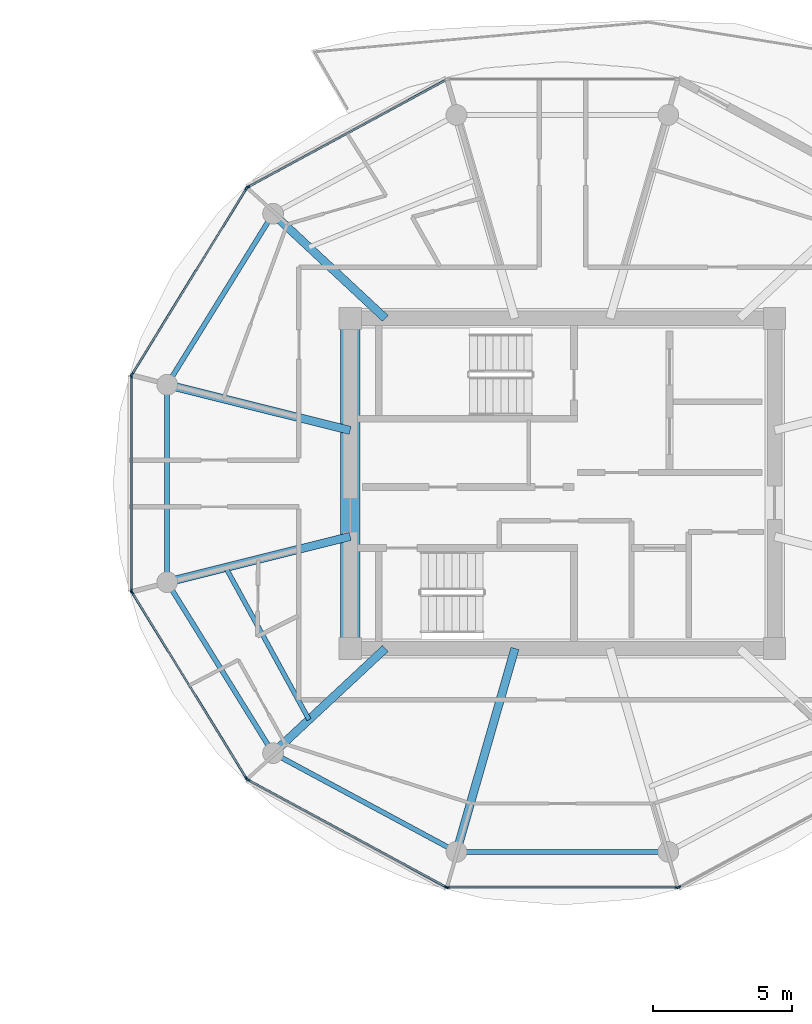
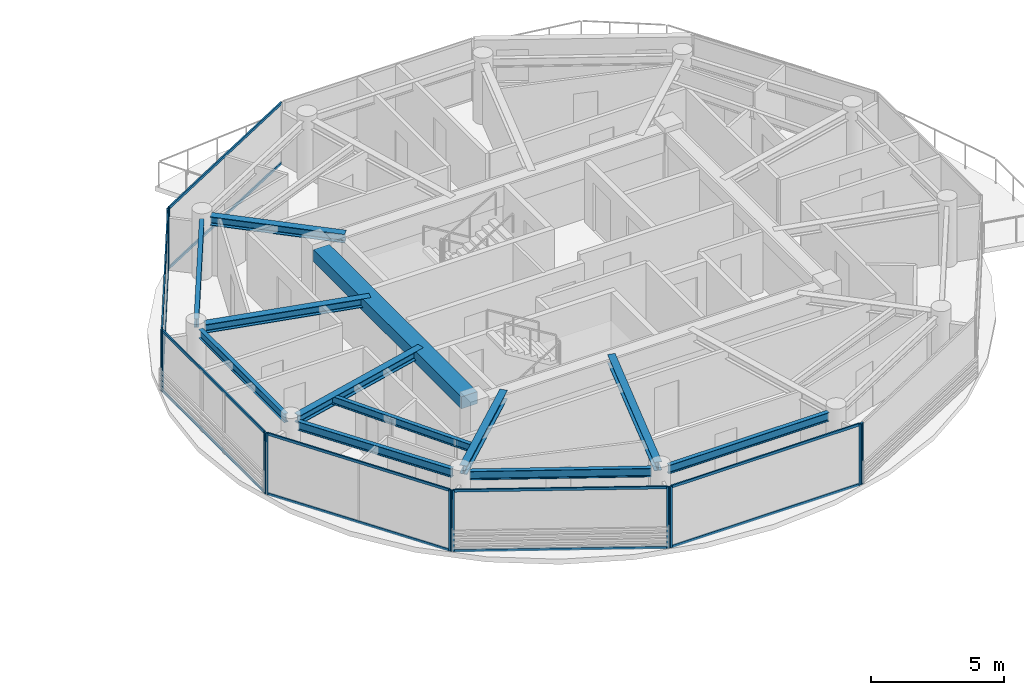
# One storey, part 5 of 19: 24 members, 12 beams, 7 elements without a shape of their own.
"""IFC4 building model written with IfcOpenShell, lengths in metres."""

from ifc_helpers import new_model, si_unit, direction, frame, origin, origin_2d, place, context, subcontext, project, spatial, rectangle, i_section, extrude, source, transform, mapped, material, layer, layer_set, material_profile, profile_set, type_object, type_shapes, element, aggregate, save


model = new_model("IFC4")

# Units and contexts
model_context = context("Model", 3, precision=1e-05, world=origin(), true_north=direction((0.0, 1.0)))
body_context = subcontext(model_context, "Body", "Model", "MODEL_VIEW")
ifc_project = project(units=[si_unit("LENGTHUNIT", "METRE"), si_unit("AREAUNIT", "SQUARE_METRE"), si_unit("VOLUMEUNIT", "CUBIC_METRE"), si_unit("PLANEANGLEUNIT", "RADIAN"), si_unit("MASSUNIT", "GRAM", prefix="KILO")], contexts=[model_context])

# Site, building, storey
site_placement = place(None, origin())
site = spatial("IfcSite", under=ifc_project, at=site_placement, CompositionType="ELEMENT")
building_placement = place(site_placement, origin())
building = spatial("IfcBuilding", under=site, at=building_placement, Name="Norrkilde Senior Care Towers", CompositionType="ELEMENT")
storey_placement = place(building_placement, frame((0.0, 0.0, 235.25)))
storey = spatial("IfcBuildingStorey", under=building, at=storey_placement, Name="L73", CompositionType="ELEMENT", Elevation=235.25)

# Beams
ifc_material_1 = material(Name="Concrete C60/75", Category="concrete")
ifc_material_profile_1 = material_profile(ifc_material_1, rectangle(XDim=0.699951171875, YDim=0.550048828125, at=origin_2d()), Name="RC BM 700x550")
ifc_profile_set_1 = profile_set([ifc_material_profile_1], Name="Concrete C60/75")
beam_type_1 = type_object("IfcBeamType", Name="Core Portal Coupling Beam 700x550", PredefinedType="USERDEFINED", material=ifc_profile_set_1)
shared_shape_1 = source(origin(), body_context, "Body", "SweptSolid", [
    extrude(rectangle(XDim=0.699951171875, YDim=0.550048828125, at=origin_2d()), origin(), (0.0, 0.0, 1.0), 11.14013671875),
])
type_shapes(beam_type_1, [shared_shape_1])
beam_1_placement = place(storey_placement, frame((20.35009765625, -5.570068359375, 2.534912109375), z_axis=(0.0, 1.0, 0.0), x_axis=(-1.0, 0.0, 0.0)))
element("IfcBeam", 1, at=beam_1_placement, inside=storey, type_object=beam_type_1, Name="L73 Core E W Coupling Girder", ObjectType="GIRDER", PredefinedType="USERDEFINED", context=body_context, shape_type="MappedRepresentation", body=[
    mapped(shared_shape_1, transform((0.0, 0.0, 0.0), x_axis=(1.0, 0.0, 0.0), y_axis=(0.0, 1.0, 0.0), z_axis=(0.0, 0.0, 1.0), scale=1.0)),
])
ifc_material_2 = material(Name="Steel S355", Category="steel")
ifc_material_profile_2 = material_profile(ifc_material_2, i_section(OverallWidth=0.179931640625, OverallDepth=0.39990234375, WebThickness=0.008544921875, FlangeThickness=0.013427734375, FilletRadius=0.02099609375, at=origin_2d()), Name="IPE 400")
ifc_profile_set_2 = profile_set([ifc_material_profile_2], Name="Steel S355")
beam_type_2 = type_object("IfcBeamType", Name="Perimeter Ring Spandrel Z4 IPE400", PredefinedType="SPANDREL", material=ifc_profile_set_2)
shared_shape_2 = source(origin(), body_context, "Body", "SweptSolid", [
    extrude(i_section(OverallWidth=0.179931640625, OverallDepth=0.39990234375, WebThickness=0.008544921875, FlangeThickness=0.013427734375, FilletRadius=0.02099609375, at=origin_2d()), origin(), (0.0, 0.0, 1.0), 6.58056640625),
])
for number, where, z_axis, x_axis, name in (
    (2, (17.393798828125, 9.43798828125, 2.610107421875), (-0.526529583789, -0.850156807533, 0.0), (0.850156807533, -0.526529583789, 0.0), "L73 Drum E Perimeter Spandrel 05"),
    (3, (13.928955078125, -3.843505859375, 2.610107421875), (0.526529583789, -0.850156807533, 0.0), (0.850156807533, 0.526529583789, 0.0), "L73 Drum E Perimeter Spandrel 07"),
):
    element("IfcBeam", number, at=place(storey_placement, frame(where, z_axis=z_axis, x_axis=x_axis)), inside=storey, type_object=beam_type_2, Name=name, PredefinedType="SPANDREL", context=body_context, shape_type="MappedRepresentation", body=[
        mapped(shared_shape_2, transform((0.0, 0.0, 0.0), x_axis=(1.0, 0.0, 0.0), y_axis=(0.0, 1.0, 0.0), z_axis=(0.0, 0.0, 1.0), scale=1.0)),
    ])
ifc_material_profile_3 = material_profile(ifc_material_2, i_section(OverallWidth=0.300048828125, OverallDepth=0.39990234375, WebThickness=0.013427734375, FlangeThickness=0.02392578125, FilletRadius=0.027099609375, at=origin_2d()), Name="HEB 400")
ifc_profile_set_3 = profile_set([ifc_material_profile_3], Name="Steel S355")
beam_type_3 = type_object("IfcBeamType", Name="Radial Floor Beam Z4 HEB400", PredefinedType="BEAM", material=ifc_profile_set_3)
shared_shape_3 = source(origin(), body_context, "Body", "SweptSolid", [
    extrude(i_section(OverallWidth=0.300048828125, OverallDepth=0.39990234375, WebThickness=0.013427734375, FlangeThickness=0.02392578125, FilletRadius=0.027099609375, at=origin_2d()), origin(), (0.0, 0.0, 1.0), 6.465087890625),
])
for number, where, z_axis, x_axis, name in (
    (4, (20.35009765625, 1.910888671875, 2.610107421875), (-0.970195788563, 0.242322371758, 0.0), (-0.242322371758, -0.970195788563, 0.0), "L73 Drum E Radial Floor Beam 06"),
    (5, (20.35009765625, -1.910888671875, 2.610107421875), (-0.970195788563, -0.242322371758, 0.0), (0.242322371758, -0.970195788563, 0.0), "L73 Drum E Radial Floor Beam 07"),
):
    element("IfcBeam", number, at=place(storey_placement, frame(where, z_axis=z_axis, x_axis=x_axis)), inside=storey, type_object=beam_type_3, Name=name, PredefinedType="BEAM", context=body_context, shape_type="MappedRepresentation", body=[
        mapped(shared_shape_3, transform((0.0, 0.0, 0.0), x_axis=(1.0, 0.0, 0.0), y_axis=(0.0, 1.0, 0.0), z_axis=(0.0, 0.0, 1.0), scale=1.0)),
    ])
shared_shape_4 = source(origin(), body_context, "Body", "SweptSolid", [
    extrude(i_section(OverallWidth=0.179931640625, OverallDepth=0.39990234375, WebThickness=0.008544921875, FlangeThickness=0.013427734375, FilletRadius=0.02099609375, at=origin_2d()), origin(), (0.0, 0.0, 1.0), 6.839111328125),
])
beam_2_placement = place(storey_placement, frame((17.865234375, -9.881591796875, 2.610107421875), z_axis=(0.880563930732, -0.473927382511, 0.0), x_axis=(0.473927382511, 0.880563930732, 0.0)))
element("IfcBeam", 6, at=beam_2_placement, inside=storey, type_object=beam_type_2, Name="L73 Drum E Perimeter Spandrel 08", PredefinedType="SPANDREL", context=body_context, shape_type="MappedRepresentation", body=[
    mapped(shared_shape_4, transform((0.0, 0.0, 0.0), x_axis=(1.0, 0.0, 0.0), y_axis=(0.0, 1.0, 0.0), z_axis=(0.0, 0.0, 1.0), scale=1.0)),
])
shared_shape_5 = source(origin(), body_context, "Body", "SweptSolid", [
    extrude(i_section(OverallWidth=0.300048828125, OverallDepth=0.39990234375, WebThickness=0.013427734375, FlangeThickness=0.02392578125, FilletRadius=0.027099609375, at=origin_2d()), origin(), (0.0, 0.0, 1.0), 5.197998046875),
])
for number, where, z_axis, x_axis, name in (
    (7, (21.6171875, 5.949951171875, 2.610107421875), (-0.731448749334, 0.681896419625, 0.0), (-0.681896419625, -0.731448749334, 0.0), "L73 Drum E Radial Floor Beam 05"),
    (8, (21.6171875, -5.949951171875, 2.610107421875), (-0.731448749334, -0.681896419625, 0.0), (0.681896419625, -0.731448749334, 0.0), "L73 Drum E Radial Floor Beam 08"),
):
    element("IfcBeam", number, at=place(storey_placement, frame(where, z_axis=z_axis, x_axis=x_axis)), inside=storey, type_object=beam_type_3, Name=name, PredefinedType="BEAM", context=body_context, shape_type="MappedRepresentation", body=[
        mapped(shared_shape_5, transform((0.0, 0.0, 0.0), x_axis=(1.0, 0.0, 0.0), y_axis=(0.0, 1.0, 0.0), z_axis=(0.0, 0.0, 1.0), scale=1.0)),
    ])
shared_shape_6 = source(origin(), body_context, "Body", "SweptSolid", [
    extrude(i_section(OverallWidth=0.179931640625, OverallDepth=0.39990234375, WebThickness=0.008544921875, FlangeThickness=0.013427734375, FilletRadius=0.02099609375, at=origin_2d()), origin(), (0.0, 0.0, 1.0), 6.96533203125),
])
beam_3_placement = place(storey_placement, frame((24.517333984375, -13.281494140625, 2.610107421875), z_axis=(1.0, 0.0, 0.0), x_axis=(0.0, 1.0, 0.0)))
element("IfcBeam", 9, at=beam_3_placement, inside=storey, type_object=beam_type_2, Name="L73 Drum E Perimeter Spandrel 09", PredefinedType="SPANDREL", context=body_context, shape_type="MappedRepresentation", body=[
    mapped(shared_shape_6, transform((0.0, 0.0, 0.0), x_axis=(1.0, 0.0, 0.0), y_axis=(0.0, 1.0, 0.0), z_axis=(0.0, 0.0, 1.0), scale=1.0)),
])
shared_shape_7 = source(origin(), body_context, "Body", "SweptSolid", [
    extrude(i_section(OverallWidth=0.300048828125, OverallDepth=0.39990234375, WebThickness=0.013427734375, FlangeThickness=0.02392578125, FilletRadius=0.027099609375, at=origin_2d()), origin(), (0.0, 0.0, 1.0), 7.29345703125),
])
type_shapes(beam_type_3, [shared_shape_3, shared_shape_5, shared_shape_7])
beam_4_placement = place(storey_placement, frame((26.289794921875, -5.949951171875, 2.610107421875), z_axis=(-0.276263751906, -0.961081858836, 0.0), x_axis=(0.961081858836, -0.276263751906, 0.0)))
element("IfcBeam", 10, at=beam_4_placement, inside=storey, type_object=beam_type_3, Name="L73 Drum E Radial Floor Beam 09", PredefinedType="BEAM", context=body_context, shape_type="MappedRepresentation", body=[
    mapped(shared_shape_7, transform((0.0, 0.0, 0.0), x_axis=(1.0, 0.0, 0.0), y_axis=(0.0, 1.0, 0.0), z_axis=(0.0, 0.0, 1.0), scale=1.0)),
])
shared_shape_8 = source(origin(), body_context, "Body", "SweptSolid", [
    extrude(i_section(OverallWidth=0.179931640625, OverallDepth=0.39990234375, WebThickness=0.008544921875, FlangeThickness=0.013427734375, FilletRadius=0.02099609375, at=origin_2d()), origin(), (0.0, 0.0, 1.0), 6.44775390625),
])
type_shapes(beam_type_2, [shared_shape_2, shared_shape_4, shared_shape_6, shared_shape_8])
beam_5_placement = place(storey_placement, frame((13.752685546875, 3.223876953125, 2.610107421875), z_axis=(0.0, -1.0, 0.0), x_axis=(1.0, 0.0, 0.0)))
element("IfcBeam", 11, at=beam_5_placement, inside=storey, type_object=beam_type_2, Name="L73 Drum E Perimeter Spandrel 06", PredefinedType="SPANDREL", context=body_context, shape_type="MappedRepresentation", body=[
    mapped(shared_shape_8, transform((0.0, 0.0, 0.0), x_axis=(1.0, 0.0, 0.0), y_axis=(0.0, 1.0, 0.0), z_axis=(0.0, 0.0, 1.0), scale=1.0)),
])
ifc_material_profile_4 = material_profile(ifc_material_2, i_section(OverallWidth=0.169921875, OverallDepth=0.360107421875, WebThickness=0.008056640625, FlangeThickness=0.0126953125, FilletRadius=0.01806640625, at=origin_2d()), Name="IPE 360")
ifc_profile_set_4 = profile_set([ifc_material_profile_4], Name="Steel S355")
beam_type_4 = type_object("IfcBeamType", Name="Secondary Floor Joist IPE360", PredefinedType="JOIST", material=ifc_profile_set_4)
shared_shape_9 = source(origin(), body_context, "Body", "SweptSolid", [
    extrude(i_section(OverallWidth=0.169921875, OverallDepth=0.360107421875, WebThickness=0.008056640625, FlangeThickness=0.0126953125, FilletRadius=0.01806640625, at=origin_2d()), origin(), (0.0, 0.0, 1.0), 6.25146484375),
])
type_shapes(beam_type_4, [shared_shape_9])
beam_6_placement = place(storey_placement, frame((15.86376953125, -3.031494140625, 2.6298828125), z_axis=(0.480115752653, -0.877205143655, 0.0), x_axis=(0.877205143655, 0.480115752653, 0.0)))
element("IfcBeam", 12, at=beam_6_placement, inside=storey, type_object=beam_type_4, Name="L73 Drum E Secondary Floor Joist 3", PredefinedType="JOIST", context=body_context, shape_type="MappedRepresentation", body=[
    mapped(shared_shape_9, transform((0.0, 0.0, 0.0), x_axis=(1.0, 0.0, 0.0), y_axis=(0.0, 1.0, 0.0), z_axis=(0.0, 0.0, 1.0), scale=1.0)),
])

# Curtain wall, member
ifc_material_3 = material(Name="Triple Low-E Insulated Glazing", Category="glass")
ifc_layer = layer(ifc_material_3, 0.18505859375)
ifc_layer_set = layer_set([ifc_layer], Name="Triple Low-E Insulated Glazing")
curtain_wall_type = type_object("IfcCurtainWallType", Name="CW6 Zone 4 Crown Pavilion Curtain Wall", PredefinedType="NOTDEFINED", material=ifc_layer_set)
curtain_wall_1_placement = place(storey_placement, origin())
curtain_wall_1 = element("IfcCurtainWall", 13, at=curtain_wall_1_placement, inside=storey, type_object=curtain_wall_type, Name="L73 Drum E Curtain Wall 03", PredefinedType="NOTDEFINED")
ifc_material_4 = material(Name="Anodised Aluminium", Category="aluminium")
ifc_material_profile_5 = material_profile(ifc_material_4, rectangle(XDim=0.06494140625, YDim=0.14990234375, at=origin_2d()), Name="ALU MULL 65x150")
ifc_profile_set_5 = profile_set([ifc_material_profile_5], Name="Anodised Aluminium")
member_type_1 = type_object("IfcMemberType", Name="Curtain Wall Mullion Z3-Z4 65x150", PredefinedType="MULLION", material=ifc_profile_set_5)
shared_shape_10 = source(origin(), body_context, "Body", "SweptSolid", [
    extrude(rectangle(XDim=0.06494140625, YDim=0.14990234375, at=origin_2d()), origin(), (0.0, 0.0, 1.0), 2.81005859375),
])
type_shapes(member_type_1, [shared_shape_10])
member_1_placement = place(storey_placement, frame((16.658203125, 10.6787109375, 0.0), z_axis=(0.0, 0.0, 1.0), x_axis=(-0.476132676136, 0.879373455772, 0.0)))
member_1 = element("IfcMember", 14, at=member_1_placement, type_object=member_type_1, Name="CW-6 mullion 1", PredefinedType="MULLION", context=body_context, shape_type="MappedRepresentation", body=[
    mapped(shared_shape_10, transform((0.0, 0.0, 0.0), x_axis=(1.0, 0.0, 0.0), y_axis=(0.0, 1.0, 0.0), z_axis=(0.0, 0.0, 1.0), scale=1.0)),
])

# Curtain wall, members
curtain_wall_2_placement = place(storey_placement, origin())
curtain_wall_2 = element("IfcCurtainWall", 15, at=curtain_wall_2_placement, inside=storey, type_object=curtain_wall_type, Name="L73 Drum E Curtain Wall 04", PredefinedType="NOTDEFINED")
member_2_placement = place(storey_placement, frame((12.48486328125, 3.9306640625, 0.0), z_axis=(0.0, 0.0, 1.0), x_axis=(-0.851562727283, 0.524252726748, 0.0)))
member_2 = element("IfcMember", 16, at=member_2_placement, type_object=member_type_1, Name="CW-6 mullion 1", PredefinedType="MULLION", context=body_context, shape_type="MappedRepresentation", body=[
    mapped(shared_shape_10, transform((0.0, 0.0, 0.0), x_axis=(1.0, 0.0, 0.0), y_axis=(0.0, 1.0, 0.0), z_axis=(0.0, 0.0, 1.0), scale=1.0)),
])
member_3_placement = place(storey_placement, frame((16.61279296875, 10.635498046875, 0.0), z_axis=(0.0, 0.0, 1.0), x_axis=(-0.851562727283, 0.524252726748, 0.0)))
member_3 = element("IfcMember", 17, at=member_3_placement, type_object=member_type_1, Name="CW-6 mullion 2", PredefinedType="MULLION", context=body_context, shape_type="MappedRepresentation", body=[
    mapped(shared_shape_10, transform((0.0, 0.0, 0.0), x_axis=(1.0, 0.0, 0.0), y_axis=(0.0, 1.0, 0.0), z_axis=(0.0, 0.0, 1.0), scale=1.0)),
])

curtain_wall_3_placement = place(storey_placement, origin())
curtain_wall_3 = element("IfcCurtainWall", 18, at=curtain_wall_3_placement, inside=storey, type_object=curtain_wall_type, Name="L73 Drum E Curtain Wall 05", PredefinedType="NOTDEFINED")
member_4_placement = place(storey_placement, frame((12.468017578125, -3.87060546875, 0.0), z_axis=(0.0, 0.0, 1.0), x_axis=(-1.0, 0.0, 0.0)))
member_4 = element("IfcMember", 19, at=member_4_placement, type_object=member_type_1, Name="CW-6 mullion 1", PredefinedType="MULLION", context=body_context, shape_type="MappedRepresentation", body=[
    mapped(shared_shape_10, transform((0.0, 0.0, 0.0), x_axis=(1.0, 0.0, 0.0), y_axis=(0.0, 1.0, 0.0), z_axis=(0.0, 0.0, 1.0), scale=1.0)),
])
member_5_placement = place(storey_placement, frame((12.468017578125, 3.87060546875, 0.0), z_axis=(0.0, 0.0, 1.0), x_axis=(-1.0, 0.0, 0.0)))
member_5 = element("IfcMember", 20, at=member_5_placement, type_object=member_type_1, Name="CW-6 mullion 2", PredefinedType="MULLION", context=body_context, shape_type="MappedRepresentation", body=[
    mapped(shared_shape_10, transform((0.0, 0.0, 0.0), x_axis=(1.0, 0.0, 0.0), y_axis=(0.0, 1.0, 0.0), z_axis=(0.0, 0.0, 1.0), scale=1.0)),
])

curtain_wall_4_placement = place(storey_placement, origin())
curtain_wall_4 = element("IfcCurtainWall", 21, at=curtain_wall_4_placement, inside=storey, type_object=curtain_wall_type, Name="L73 Drum E Curtain Wall 06", PredefinedType="NOTDEFINED")
member_6_placement = place(storey_placement, frame((16.61279296875, -10.635498046875, 0.0), z_axis=(0.0, 0.0, 1.0), x_axis=(-0.851562727283, -0.524252726748, 0.0)))
member_6 = element("IfcMember", 22, at=member_6_placement, type_object=member_type_1, Name="CW-6 mullion 1", PredefinedType="MULLION", context=body_context, shape_type="MappedRepresentation", body=[
    mapped(shared_shape_10, transform((0.0, 0.0, 0.0), x_axis=(1.0, 0.0, 0.0), y_axis=(0.0, 1.0, 0.0), z_axis=(0.0, 0.0, 1.0), scale=1.0)),
])
member_7_placement = place(storey_placement, frame((12.48486328125, -3.9306640625, 0.0), z_axis=(0.0, 0.0, 1.0), x_axis=(-0.851562727283, -0.524252726748, 0.0)))
member_7 = element("IfcMember", 23, at=member_7_placement, type_object=member_type_1, Name="CW-6 mullion 2", PredefinedType="MULLION", context=body_context, shape_type="MappedRepresentation", body=[
    mapped(shared_shape_10, transform((0.0, 0.0, 0.0), x_axis=(1.0, 0.0, 0.0), y_axis=(0.0, 1.0, 0.0), z_axis=(0.0, 0.0, 1.0), scale=1.0)),
])

curtain_wall_5_placement = place(storey_placement, origin())
curtain_wall_5 = element("IfcCurtainWall", 24, at=curtain_wall_5_placement, inside=storey, type_object=curtain_wall_type, Name="L73 Drum E Curtain Wall 07", PredefinedType="NOTDEFINED")
member_8_placement = place(storey_placement, frame((23.8095703125, -14.55078125, 0.0), z_axis=(0.0, 0.0, 1.0), x_axis=(-0.476132676136, -0.879373455772, 0.0)))
member_8 = element("IfcMember", 25, at=member_8_placement, type_object=member_type_1, Name="CW-6 mullion 1", PredefinedType="MULLION", context=body_context, shape_type="MappedRepresentation", body=[
    mapped(shared_shape_10, transform((0.0, 0.0, 0.0), x_axis=(1.0, 0.0, 0.0), y_axis=(0.0, 1.0, 0.0), z_axis=(0.0, 0.0, 1.0), scale=1.0)),
])
member_9_placement = place(storey_placement, frame((16.658203125, -10.6787109375, 0.0), z_axis=(0.0, 0.0, 1.0), x_axis=(-0.476132676136, -0.879373455772, 0.0)))
member_9 = element("IfcMember", 26, at=member_9_placement, type_object=member_type_1, Name="CW-6 mullion 2", PredefinedType="MULLION", context=body_context, shape_type="MappedRepresentation", body=[
    mapped(shared_shape_10, transform((0.0, 0.0, 0.0), x_axis=(1.0, 0.0, 0.0), y_axis=(0.0, 1.0, 0.0), z_axis=(0.0, 0.0, 1.0), scale=1.0)),
])

curtain_wall_6_placement = place(storey_placement, origin())
curtain_wall_6 = element("IfcCurtainWall", 27, at=curtain_wall_6_placement, inside=storey, type_object=curtain_wall_type, Name="L73 Drum E Curtain Wall 08", PredefinedType="NOTDEFINED")
member_10_placement = place(storey_placement, frame((32.12939453125, -14.566162109375, 0.0), z_axis=(0.0, 0.0, 1.0), x_axis=(0.0, -1.0, 0.0)))
member_10 = element("IfcMember", 28, at=member_10_placement, type_object=member_type_1, Name="CW-6 mullion 1", PredefinedType="MULLION", context=body_context, shape_type="MappedRepresentation", body=[
    mapped(shared_shape_10, transform((0.0, 0.0, 0.0), x_axis=(1.0, 0.0, 0.0), y_axis=(0.0, 1.0, 0.0), z_axis=(0.0, 0.0, 1.0), scale=1.0)),
])
member_11_placement = place(storey_placement, frame((23.87060546875, -14.566162109375, 0.0), z_axis=(0.0, 0.0, 1.0), x_axis=(0.0, -1.0, 0.0)))
member_11 = element("IfcMember", 29, at=member_11_placement, type_object=member_type_1, Name="CW-6 mullion 2", PredefinedType="MULLION", context=body_context, shape_type="MappedRepresentation", body=[
    mapped(shared_shape_10, transform((0.0, 0.0, 0.0), x_axis=(1.0, 0.0, 0.0), y_axis=(0.0, 1.0, 0.0), z_axis=(0.0, 0.0, 1.0), scale=1.0)),
])

# Curtain wall, member
curtain_wall_7_placement = place(storey_placement, origin())
curtain_wall_7 = element("IfcCurtainWall", 30, at=curtain_wall_7_placement, inside=storey, type_object=curtain_wall_type, Name="L73 Drum E Curtain Wall 09", PredefinedType="NOTDEFINED")
member_12_placement = place(storey_placement, frame((32.1904296875, -14.55078125, 0.0), z_axis=(0.0, 0.0, 1.0), x_axis=(0.476132676136, -0.879373455772, 0.0)))
member_12 = element("IfcMember", 31, at=member_12_placement, type_object=member_type_1, Name="CW-6 mullion 2", PredefinedType="MULLION", context=body_context, shape_type="MappedRepresentation", body=[
    mapped(shared_shape_10, transform((0.0, 0.0, 0.0), x_axis=(1.0, 0.0, 0.0), y_axis=(0.0, 1.0, 0.0), z_axis=(0.0, 0.0, 1.0), scale=1.0)),
])
aggregate(curtain_wall_7, [member_12])

# Member
ifc_material_profile_6 = material_profile(ifc_material_4, rectangle(XDim=0.06005859375, YDim=0.1201171875, at=origin_2d()), Name="ALU TRAN 60x120")
ifc_profile_set_6 = profile_set([ifc_material_profile_6], Name="Anodised Aluminium")
member_type_2 = type_object("IfcMemberType", Name="Curtain Wall Transom Typical 60x120", PredefinedType="USERDEFINED", material=ifc_profile_set_6)
shared_shape_11 = source(origin(), body_context, "Body", "SweptSolid", [
    extrude(rectangle(XDim=0.06005859375, YDim=0.1201171875, at=origin_2d()), origin(), (0.0, 0.0, 1.0), 7.808837890625),
])
member_13_placement = place(storey_placement, frame((12.501953125, 3.958251953125, 0.030029296875), z_axis=(0.524250924101, 0.851563837055, 0.0), x_axis=(-0.851563837055, 0.524250924101, 0.0)))
member_13 = element("IfcMember", 32, at=member_13_placement, type_object=member_type_2, Name="CW-6 transom 1.1", ObjectType="TRANSOM", PredefinedType="USERDEFINED", context=body_context, shape_type="MappedRepresentation", body=[
    mapped(shared_shape_11, transform((0.0, 0.0, 0.0), x_axis=(1.0, 0.0, 0.0), y_axis=(0.0, 1.0, 0.0), z_axis=(0.0, 0.0, 1.0), scale=1.0)),
])

member_14_placement = place(storey_placement, frame((12.501953125, 3.958251953125, 2.780029296875), z_axis=(0.524250924101, 0.851563837055, 0.0), x_axis=(-0.851563837055, 0.524250924101, 0.0)))
member_14 = element("IfcMember", 33, at=member_14_placement, type_object=member_type_2, Name="CW-6 transom 1.2", ObjectType="TRANSOM", PredefinedType="USERDEFINED", context=body_context, shape_type="MappedRepresentation", body=[
    mapped(shared_shape_11, transform((0.0, 0.0, 0.0), x_axis=(1.0, 0.0, 0.0), y_axis=(0.0, 1.0, 0.0), z_axis=(0.0, 0.0, 1.0), scale=1.0)),
])

aggregate(curtain_wall_2, [member_2, member_3, member_13, member_14])

member_15_placement = place(storey_placement, frame((16.595703125, -10.60791015625, 0.030029296875), z_axis=(-0.524250924101, 0.851563837055, 0.0), x_axis=(-0.851563837055, -0.524250924101, 0.0)))
member_15 = element("IfcMember", 34, at=member_15_placement, type_object=member_type_2, Name="CW-6 transom 1.1", ObjectType="TRANSOM", PredefinedType="USERDEFINED", context=body_context, shape_type="MappedRepresentation", body=[
    mapped(shared_shape_11, transform((0.0, 0.0, 0.0), x_axis=(1.0, 0.0, 0.0), y_axis=(0.0, 1.0, 0.0), z_axis=(0.0, 0.0, 1.0), scale=1.0)),
])

member_16_placement = place(storey_placement, frame((16.595703125, -10.60791015625, 2.780029296875), z_axis=(-0.524250924101, 0.851563837055, 0.0), x_axis=(-0.851563837055, -0.524250924101, 0.0)))
member_16 = element("IfcMember", 35, at=member_16_placement, type_object=member_type_2, Name="CW-6 transom 1.2", ObjectType="TRANSOM", PredefinedType="USERDEFINED", context=body_context, shape_type="MappedRepresentation", body=[
    mapped(shared_shape_11, transform((0.0, 0.0, 0.0), x_axis=(1.0, 0.0, 0.0), y_axis=(0.0, 1.0, 0.0), z_axis=(0.0, 0.0, 1.0), scale=1.0)),
])

aggregate(curtain_wall_4, [member_6, member_7, member_15, member_16])

shared_shape_12 = source(origin(), body_context, "Body", "SweptSolid", [
    extrude(rectangle(XDim=0.06005859375, YDim=0.1201171875, at=origin_2d()), origin(), (0.0, 0.0, 1.0), 8.19384765625),
])
member_17_placement = place(storey_placement, frame((32.096923828125, -14.566162109375, 0.030029296875), z_axis=(-1.0, 0.0, 0.0), x_axis=(0.0, -1.0, 0.0)))
member_17 = element("IfcMember", 36, at=member_17_placement, type_object=member_type_2, Name="CW-6 transom 1.1", ObjectType="TRANSOM", PredefinedType="USERDEFINED", context=body_context, shape_type="MappedRepresentation", body=[
    mapped(shared_shape_12, transform((0.0, 0.0, 0.0), x_axis=(1.0, 0.0, 0.0), y_axis=(0.0, 1.0, 0.0), z_axis=(0.0, 0.0, 1.0), scale=1.0)),
])

member_18_placement = place(storey_placement, frame((32.096923828125, -14.566162109375, 2.780029296875), z_axis=(-1.0, 0.0, 0.0), x_axis=(0.0, -1.0, 0.0)))
member_18 = element("IfcMember", 37, at=member_18_placement, type_object=member_type_2, Name="CW-6 transom 1.2", ObjectType="TRANSOM", PredefinedType="USERDEFINED", context=body_context, shape_type="MappedRepresentation", body=[
    mapped(shared_shape_12, transform((0.0, 0.0, 0.0), x_axis=(1.0, 0.0, 0.0), y_axis=(0.0, 1.0, 0.0), z_axis=(0.0, 0.0, 1.0), scale=1.0)),
])

aggregate(curtain_wall_6, [member_10, member_11, member_17, member_18])

shared_shape_13 = source(origin(), body_context, "Body", "SweptSolid", [
    extrude(rectangle(XDim=0.06005859375, YDim=0.1201171875, at=origin_2d()), origin(), (0.0, 0.0, 1.0), 8.0673828125),
])
member_19_placement = place(storey_placement, frame((16.686767578125, 10.694091796875, 0.030029296875), z_axis=(0.87937750072, 0.476125205411, 0.0), x_axis=(-0.476125205411, 0.87937750072, 0.0)))
member_19 = element("IfcMember", 38, at=member_19_placement, type_object=member_type_2, Name="CW-6 transom 1.1", ObjectType="TRANSOM", PredefinedType="USERDEFINED", context=body_context, shape_type="MappedRepresentation", body=[
    mapped(shared_shape_13, transform((0.0, 0.0, 0.0), x_axis=(1.0, 0.0, 0.0), y_axis=(0.0, 1.0, 0.0), z_axis=(0.0, 0.0, 1.0), scale=1.0)),
])

member_20_placement = place(storey_placement, frame((16.686767578125, 10.694091796875, 2.780029296875), z_axis=(0.87937750072, 0.476125205411, 0.0), x_axis=(-0.476125205411, 0.87937750072, 0.0)))
member_20 = element("IfcMember", 39, at=member_20_placement, type_object=member_type_2, Name="CW-6 transom 1.2", ObjectType="TRANSOM", PredefinedType="USERDEFINED", context=body_context, shape_type="MappedRepresentation", body=[
    mapped(shared_shape_13, transform((0.0, 0.0, 0.0), x_axis=(1.0, 0.0, 0.0), y_axis=(0.0, 1.0, 0.0), z_axis=(0.0, 0.0, 1.0), scale=1.0)),
])

aggregate(curtain_wall_1, [member_1, member_19, member_20])

member_21_placement = place(storey_placement, frame((23.781005859375, -14.53515625, 0.030029296875), z_axis=(-0.87937750072, 0.476125205411, 0.0), x_axis=(-0.476125205411, -0.87937750072, 0.0)))
member_21 = element("IfcMember", 40, at=member_21_placement, type_object=member_type_2, Name="CW-6 transom 1.1", ObjectType="TRANSOM", PredefinedType="USERDEFINED", context=body_context, shape_type="MappedRepresentation", body=[
    mapped(shared_shape_13, transform((0.0, 0.0, 0.0), x_axis=(1.0, 0.0, 0.0), y_axis=(0.0, 1.0, 0.0), z_axis=(0.0, 0.0, 1.0), scale=1.0)),
])

member_22_placement = place(storey_placement, frame((23.781005859375, -14.53515625, 2.780029296875), z_axis=(-0.87937750072, 0.476125205411, 0.0), x_axis=(-0.476125205411, -0.87937750072, 0.0)))
member_22 = element("IfcMember", 41, at=member_22_placement, type_object=member_type_2, Name="CW-6 transom 1.2", ObjectType="TRANSOM", PredefinedType="USERDEFINED", context=body_context, shape_type="MappedRepresentation", body=[
    mapped(shared_shape_13, transform((0.0, 0.0, 0.0), x_axis=(1.0, 0.0, 0.0), y_axis=(0.0, 1.0, 0.0), z_axis=(0.0, 0.0, 1.0), scale=1.0)),
])

aggregate(curtain_wall_5, [member_8, member_9, member_21, member_22])

shared_shape_14 = source(origin(), body_context, "Body", "SweptSolid", [
    extrude(rectangle(XDim=0.06005859375, YDim=0.1201171875, at=origin_2d()), origin(), (0.0, 0.0, 1.0), 7.67578125),
])
type_shapes(member_type_2, [shared_shape_11, shared_shape_12, shared_shape_13, shared_shape_14])
member_23_placement = place(storey_placement, frame((12.468017578125, -3.837890625, 0.030029296875), z_axis=(0.0, 1.0, 0.0), x_axis=(-1.0, 0.0, 0.0)))
member_23 = element("IfcMember", 42, at=member_23_placement, type_object=member_type_2, Name="CW-6 transom 1.1", ObjectType="TRANSOM", PredefinedType="USERDEFINED", context=body_context, shape_type="MappedRepresentation", body=[
    mapped(shared_shape_14, transform((0.0, 0.0, 0.0), x_axis=(1.0, 0.0, 0.0), y_axis=(0.0, 1.0, 0.0), z_axis=(0.0, 0.0, 1.0), scale=1.0)),
])

member_24_placement = place(storey_placement, frame((12.468017578125, -3.837890625, 2.780029296875), z_axis=(0.0, 1.0, 0.0), x_axis=(-1.0, 0.0, 0.0)))
member_24 = element("IfcMember", 43, at=member_24_placement, type_object=member_type_2, Name="CW-6 transom 1.2", ObjectType="TRANSOM", PredefinedType="USERDEFINED", context=body_context, shape_type="MappedRepresentation", body=[
    mapped(shared_shape_14, transform((0.0, 0.0, 0.0), x_axis=(1.0, 0.0, 0.0), y_axis=(0.0, 1.0, 0.0), z_axis=(0.0, 0.0, 1.0), scale=1.0)),
])

aggregate(curtain_wall_3, [member_4, member_5, member_23, member_24])

save(model, "model.ifc")
